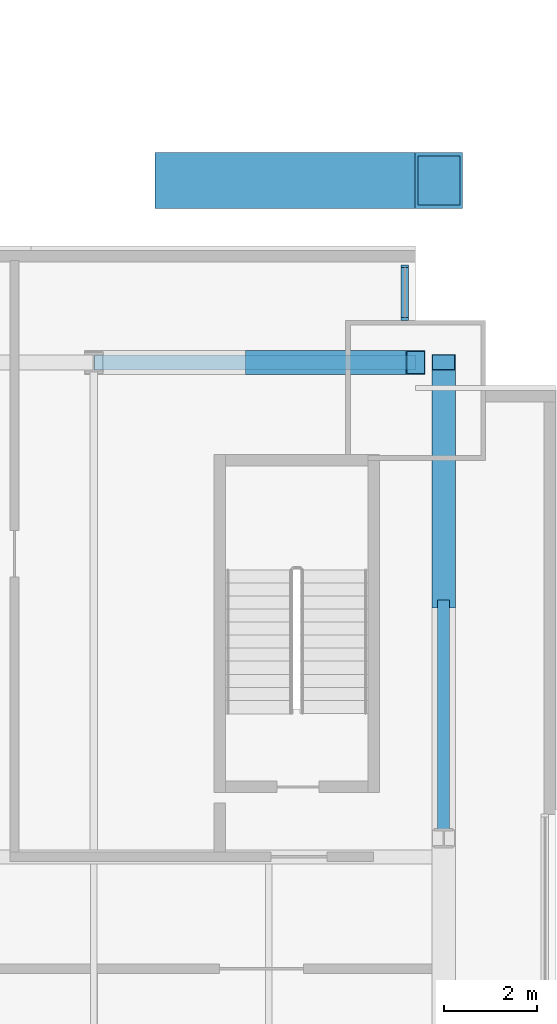
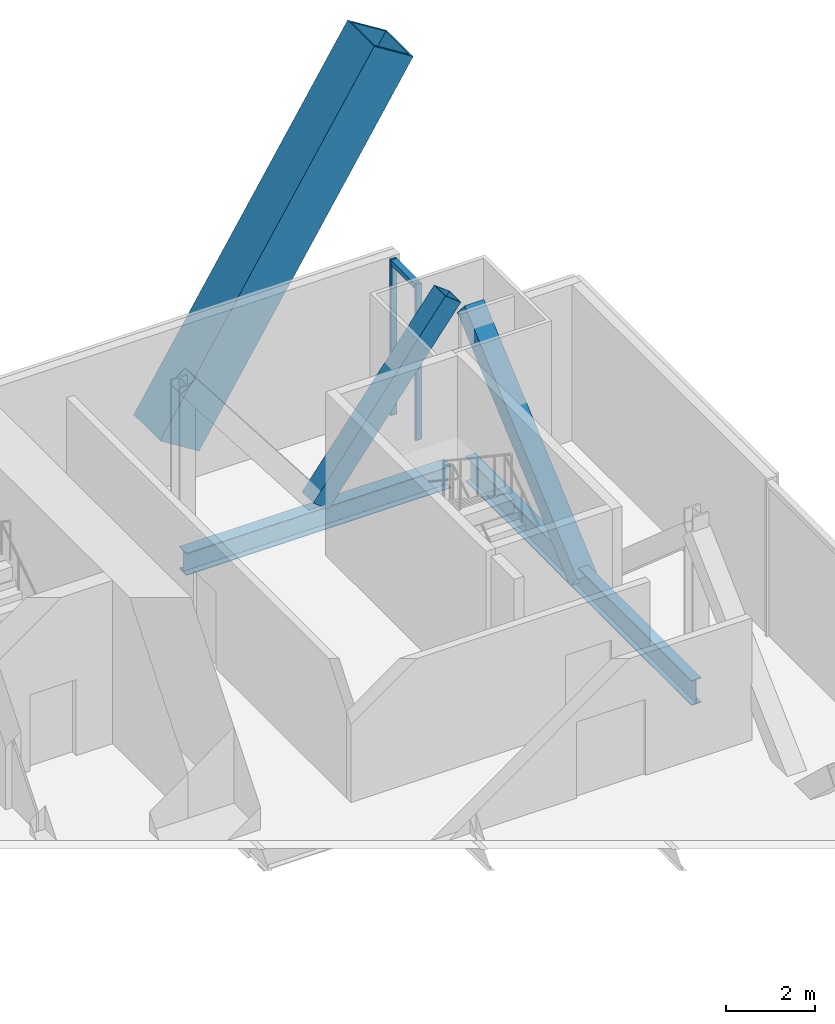
# One storey, part 13 of 21: 6 members, 2 beams, 1 element without a shape of its own.
"""IFC4 building model written with IfcOpenShell, lengths in metres."""

from ifc_helpers import new_model, si_unit, direction, frame, origin, origin_2d, place, context, subcontext, project, spatial, rectangle, hollow_rectangle, i_section, extrude, material, material_profile, profile_set, type_object, element, aggregate, save


model = new_model("IFC4")

# Units and contexts
model_context = context("Model", 3, precision=1e-05, world=origin(), true_north=direction((0.0, 1.0)))
body_context = subcontext(model_context, "Body", "Model", "MODEL_VIEW")
ifc_project = project(units=[si_unit("LENGTHUNIT", "METRE"), si_unit("AREAUNIT", "SQUARE_METRE"), si_unit("VOLUMEUNIT", "CUBIC_METRE"), si_unit("PLANEANGLEUNIT", "RADIAN"), si_unit("MASSUNIT", "GRAM", prefix="KILO")], contexts=[model_context])

# Site, building, storey
site_placement = place(None, origin())
site = spatial("IfcSite", under=ifc_project, at=site_placement, CompositionType="ELEMENT")
building_placement = place(site_placement, origin())
building = spatial("IfcBuilding", under=site, at=building_placement, Name="Bicima Exchange Tower", CompositionType="ELEMENT")
storey_placement = place(building_placement, frame((0.0, 0.0, 80.0)))
storey = spatial("IfcBuildingStorey", under=building, at=storey_placement, Name="L16", CompositionType="ELEMENT", Elevation=80.0)

# Beam
ifc_material_1 = material(Name="Steel ASTM A992 Gr 50", Category="steel")
ifc_material_profile_1 = material_profile(ifc_material_1, i_section(OverallWidth=0.256591796875, OverallDepth=0.693359375, WebThickness=0.014404296875, FlangeThickness=0.023681640625, at=origin_2d()))
ifc_profile_set_1 = profile_set([ifc_material_profile_1], Name="Steel ASTM A992 Gr 50")
beam_type_1 = type_object("IfcBeamType", Name="End girder W27x114", PredefinedType="BEAM", material=ifc_profile_set_1)
beam_1_placement = place(storey_placement, frame((33.60009765625, -2.39990234375, -0.49658203125), z_axis=(0.0, -1.0, 0.0), x_axis=(1.0, 0.0, 0.0)))
element("IfcBeam", 1, at=beam_1_placement, inside=storey, type_object=beam_type_1, Name="End girder", PredefinedType="BEAM", context=body_context, shape_type="SweptSolid", body=[
    extrude(i_section(OverallWidth=0.256591796875, OverallDepth=0.693359375, WebThickness=0.014404296875, FlangeThickness=0.023681640625, at=origin_2d()), origin(), (0.0, 0.0, 1.0), 10.2001953125),
])

# Member
ifc_material_2 = material(Name="Steel ASTM A572 Gr 50", Category="steel")
ifc_material_profile_2 = material_profile(ifc_material_2, hollow_rectangle(XDim=1.199951171875, YDim=1.199951171875, WallThickness=0.070068359375, at=origin_2d()))
ifc_profile_set_2 = profile_set([ifc_material_profile_2], Name="Steel ASTM A572 Gr 50")
member_type_1 = type_object("IfcMemberType", Name="Exo mega brace BOX 1200x1200x70", PredefinedType="BRACE", material=ifc_profile_set_2)
member_1_placement = place(storey_placement, frame((27.916748046875, 1.5, 0.074951171875), z_axis=(0.53034701569, 0.0, 0.847780657334), x_axis=(0.0, 1.0, 0.0)))
element("IfcMember", 2, at=member_1_placement, inside=storey, type_object=member_type_1, Name="Exo mega brace rear", PredefinedType="BRACE", context=body_context, shape_type="SweptSolid", body=[
    extrude(hollow_rectangle(XDim=1.199951171875, YDim=1.199951171875, WallThickness=0.070068359375, at=origin_2d()), origin(), (0.0, 0.0, 1.0), 10.527587890625),
])

# Curtain wall, members
ifc_material_3 = material(Name="Anodised bronze aluminium", Category="aluminium")
curtain_wall_type = type_object("IfcCurtainWallType", Name="Front glass wall", PredefinedType="NOTDEFINED", material=ifc_material_3)
curtain_wall_placement = place(storey_placement, origin())
curtain_wall = element("IfcCurtainWall", 3, at=curtain_wall_placement, inside=storey, type_object=curtain_wall_type, Name="Front glass wall L16 run 20", PredefinedType="NOTDEFINED")
ifc_material_profile_3 = material_profile(ifc_material_3, rectangle(XDim=0.159912109375, YDim=0.06005859375, at=origin_2d()))
ifc_profile_set_3 = profile_set([ifc_material_profile_3], Name="Anodised bronze aluminium")
member_type_2 = type_object("IfcMemberType", Name="Front glass wall mullion 60 x 160", PredefinedType="MULLION", material=ifc_profile_set_3)
member_2_placement = place(storey_placement, frame((32.77001953125, -1.469970703125, 0.0), z_axis=(0.0, 0.0, 1.0), x_axis=(-1.0, 0.0, 0.0)))
member_2 = element("IfcMember", 4, at=member_2_placement, type_object=member_type_2, Name="Front glass wall mullion 1", PredefinedType="MULLION", context=body_context, shape_type="SweptSolid", body=[
    extrude(rectangle(XDim=0.159912109375, YDim=0.06005859375, at=origin_2d()), origin(), (0.0, 0.0, 1.0), 4.300048828125),
])
member_3_placement = place(storey_placement, frame((32.77001953125, -0.340087890625, 0.0), z_axis=(0.0, 0.0, 1.0), x_axis=(-1.0, 0.0, 0.0)))
member_3 = element("IfcMember", 5, at=member_3_placement, type_object=member_type_2, Name="Front glass wall mullion 2", PredefinedType="MULLION", context=body_context, shape_type="SweptSolid", body=[
    extrude(rectangle(XDim=0.159912109375, YDim=0.06005859375, at=origin_2d()), origin(), (0.0, 0.0, 1.0), 4.300048828125),
])
ifc_material_profile_4 = material_profile(ifc_material_3, rectangle(XDim=0.159912109375, YDim=0.139892578125, at=origin_2d()))
ifc_profile_set_4 = profile_set([ifc_material_profile_4], Name="Anodised bronze aluminium")
member_type_3 = type_object("IfcMemberType", Name="Front glass wall transom 140 x 160", PredefinedType="USERDEFINED", material=ifc_profile_set_4)
member_4_placement = place(storey_placement, frame((32.77001953125, -1.43994140625, 4.22998046875), z_axis=(0.0, 1.0, 0.0), x_axis=(-1.0, 0.0, 0.0)))
member_4 = element("IfcMember", 6, at=member_4_placement, type_object=member_type_3, Name="Front glass wall transom 1.1", ObjectType="TRANSOM", PredefinedType="USERDEFINED", context=body_context, shape_type="SweptSolid", body=[
    extrude(rectangle(XDim=0.159912109375, YDim=0.139892578125, at=origin_2d()), origin(), (0.0, 0.0, 1.0), 1.06982421875),
])
aggregate(curtain_wall, [member_2, member_3, member_4])

# Members
ifc_material_profile_5 = material_profile(ifc_material_2, hollow_rectangle(XDim=0.508056640625, YDim=0.508056640625, WallThickness=0.017822265625, at=origin_2d()))
ifc_profile_set_5 = profile_set([ifc_material_profile_5], Name="Steel ASTM A572 Gr 50")
member_type_4 = type_object("IfcMemberType", Name="Mega brace HSS20x20x3/4", PredefinedType="BRACE", material=ifc_profile_set_5)
member_5_placement = place(storey_placement, frame((29.550048828125, -2.39990234375, 0.0), z_axis=(0.608426120198, 0.0, 0.793610519248), x_axis=(0.0, 1.0, 0.0)))
element("IfcMember", 7, at=member_5_placement, inside=storey, type_object=member_type_4, Name="Mega brace rear", PredefinedType="BRACE", context=body_context, shape_type="SweptSolid", body=[
    extrude(hollow_rectangle(XDim=0.508056640625, YDim=0.508056640625, WallThickness=0.017822265625, at=origin_2d()), origin(), (0.0, 0.0, 1.0), 5.670166015625),
])
member_6_placement = place(storey_placement, frame((33.60009765625, -7.5, -0.49658203125), z_axis=(0.0, 0.753501002408, 0.657446757822), x_axis=(-1.0, 0.0, 0.0)))
element("IfcMember", 8, at=member_6_placement, inside=storey, type_object=member_type_4, Name="Mega brace east end", PredefinedType="BRACE", context=body_context, shape_type="SweptSolid", body=[
    extrude(hollow_rectangle(XDim=0.508056640625, YDim=0.508056640625, WallThickness=0.017822265625, at=origin_2d()), origin(), (0.0, 0.0, 1.0), 6.7685546875),
])

# Beam
ifc_material_profile_6 = material_profile(ifc_material_1, i_section(OverallWidth=0.3251953125, OverallDepth=0.612060546875, WebThickness=0.0126953125, FlangeThickness=0.01904296875, at=origin_2d()))
ifc_profile_set_6 = profile_set([ifc_material_profile_6], Name="Steel ASTM A992 Gr 50")
beam_type_2 = type_object("IfcBeamType", Name="Rear girder W24x104", PredefinedType="BEAM", material=ifc_profile_set_6)
beam_2_placement = place(storey_placement, frame((26.10009765625, -2.39990234375, -0.4560546875), z_axis=(1.0, 0.0, 0.0), x_axis=(0.0, 1.0, 0.0)))
element("IfcBeam", 9, at=beam_2_placement, inside=storey, type_object=beam_type_2, Name="Rear girder", PredefinedType="BEAM", context=body_context, shape_type="SweptSolid", body=[
    extrude(i_section(OverallWidth=0.3251953125, OverallDepth=0.612060546875, WebThickness=0.0126953125, FlangeThickness=0.01904296875, at=origin_2d()), origin(), (0.0, 0.0, 1.0), 6.89990234375),
])

save(model, "model.ifc")
